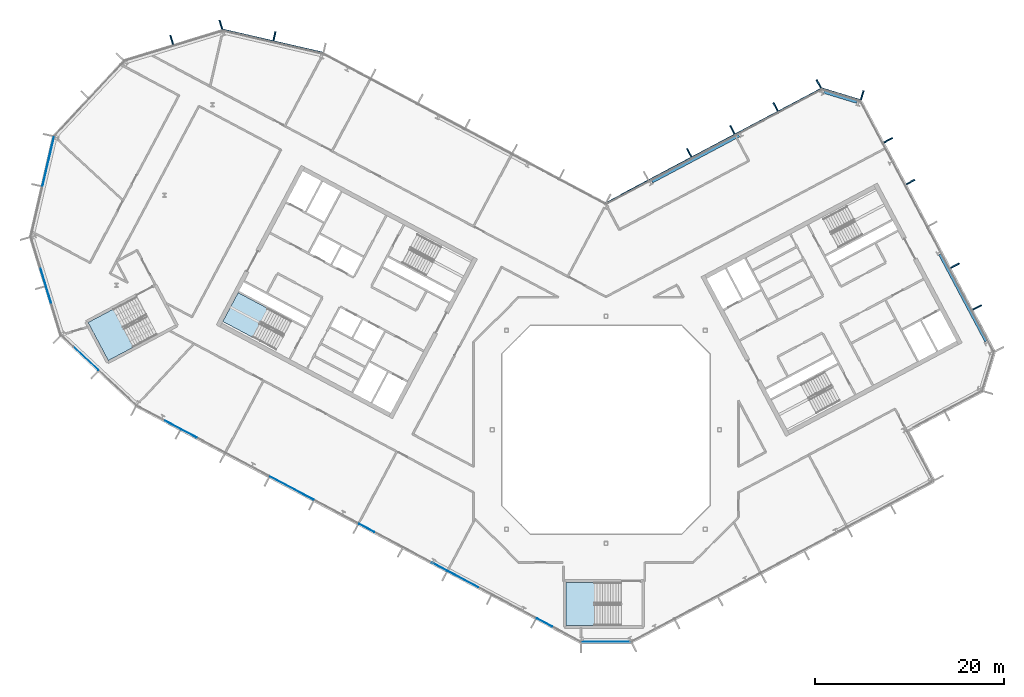
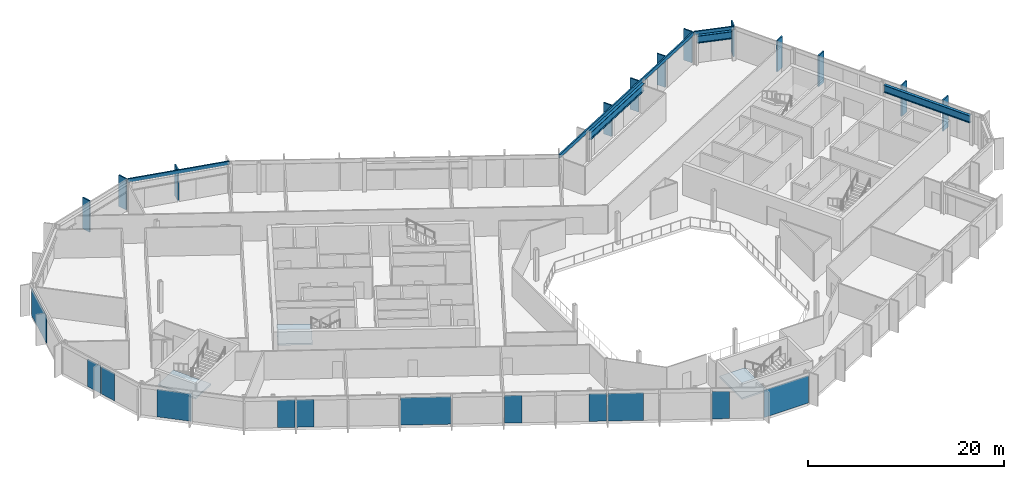
# One storey, part 10 of 26: 15 members, 12 plates, 3 beams, 3 slabs, 13 elements without a shape of their own.
"""IFC4 building model written with IfcOpenShell, lengths in metres."""

from ifc_helpers import new_model, si_unit, direction, frame, origin, origin_2d, place, context, subcontext, project, spatial, polyline, rectangle, i_section, outline, extrude, material, layer, layer_set, material_profile, profile_set, type_object, element, aggregate, save


model = new_model("IFC4")

# Units and contexts
model_context = context("Model", 3, precision=1e-05, world=origin(), true_north=direction((0.0, 1.0)))
body_context = subcontext(model_context, "Body", "Model", "MODEL_VIEW")
ifc_project = project(units=[si_unit("LENGTHUNIT", "METRE"), si_unit("AREAUNIT", "SQUARE_METRE"), si_unit("VOLUMEUNIT", "CUBIC_METRE"), si_unit("PLANEANGLEUNIT", "RADIAN"), si_unit("MASSUNIT", "GRAM", prefix="KILO")], contexts=[model_context])

# Site, building, storey
site_placement = place(None, origin())
site = spatial("IfcSite", under=ifc_project, at=site_placement, CompositionType="ELEMENT")
building_placement = place(site_placement, origin())
building = spatial("IfcBuilding", under=site, at=building_placement, Name="Cormorant Relay Tower", CompositionType="ELEMENT")
storey_placement = place(building_placement, frame((0.0, 0.0, 269.699951171875)))
storey = spatial("IfcBuildingStorey", under=building, at=storey_placement, Name="L60", CompositionType="ELEMENT", Elevation=269.699951171875)

# Curtain wall, members
ifc_material_1 = material(Name="Aluminium 6063-T6 anodised bronze", Category="aluminium")
ifc_layer_1 = layer(ifc_material_1, 0.199951171875)
ifc_layer_set_1 = layer_set([ifc_layer_1], Name="CW1 unitised bronze curtain wall with vertical fins")
curtain_wall_type = type_object("IfcCurtainWallType", Name="CW1 unitised bronze curtain wall with vertical fins", PredefinedType="NOTDEFINED", material=ifc_layer_set_1)
curtain_wall_1_placement = place(storey_placement, origin())
curtain_wall_1 = element("IfcCurtainWall", 1, at=curtain_wall_1_placement, inside=storey, type_object=curtain_wall_type, Name="CW1 curtain wall 6", PredefinedType="NOTDEFINED")
ifc_material_2 = material(Name="Aluminium 6063-T6 anodised bronze", Category="aluminium")
ifc_material_profile_1 = material_profile(ifc_material_2, rectangle(XDim=0.14990234375, YDim=1.0, at=origin_2d()), Name="AL 150x1000")
ifc_profile_set_1 = profile_set([ifc_material_profile_1], Name="Aluminium 6063-T6 anodised bronze")
member_type_1 = type_object("IfcMemberType", Name="CW1 bronze fin mullion 150 x 1000", PredefinedType="MULLION", material=ifc_profile_set_1)
member_1_placement = place(storey_placement, frame((39.222412109375, 12.927001953125, 0.0), z_axis=(0.0, 0.0, 1.0), x_axis=(-0.469471562786, 0.882947592859, 0.0)))
member_1 = element("IfcMember", 2, at=member_1_placement, type_object=member_type_1, Name="CW1 fin 6.2", PredefinedType="MULLION", context=body_context, shape_type="SweptSolid", body=[
    extrude(rectangle(XDim=0.14990234375, YDim=1.0, at=origin_2d()), origin(), (0.0, 0.0, 1.0), 3.900146484375),
])
member_2_placement = place(storey_placement, frame((36.875, 17.341552734375, 0.0), z_axis=(0.0, 0.0, 1.0), x_axis=(-0.469471562786, 0.882947592859, 0.0)))
member_2 = element("IfcMember", 3, at=member_2_placement, type_object=member_type_1, Name="CW1 fin 6.3", PredefinedType="MULLION", context=body_context, shape_type="SweptSolid", body=[
    extrude(rectangle(XDim=0.14990234375, YDim=1.0, at=origin_2d()), origin(), (0.0, 0.0, 1.0), 3.900146484375),
])
member_3_placement = place(storey_placement, frame((32.18017578125, 26.171142578125, 0.0), z_axis=(0.0, 0.0, 1.0), x_axis=(-0.469471562786, 0.882947592859, 0.0)))
member_3 = element("IfcMember", 4, at=member_3_placement, type_object=member_type_1, Name="CW1 fin 6.5", PredefinedType="MULLION", context=body_context, shape_type="SweptSolid", body=[
    extrude(rectangle(XDim=0.14990234375, YDim=1.0, at=origin_2d()), origin(), (0.0, 0.0, 1.0), 3.900146484375),
])
member_4_placement = place(storey_placement, frame((29.832763671875, 30.585693359375, 0.0), z_axis=(0.0, 0.0, 1.0), x_axis=(-0.469471562786, 0.882947592859, 0.0)))
member_4 = element("IfcMember", 5, at=member_4_placement, type_object=member_type_1, Name="CW1 fin 6.6", PredefinedType="MULLION", context=body_context, shape_type="SweptSolid", body=[
    extrude(rectangle(XDim=0.14990234375, YDim=1.0, at=origin_2d()), origin(), (0.0, 0.0, 1.0), 3.900146484375),
])
aggregate(curtain_wall_1, [member_1, member_2, member_3, member_4])

# Curtain wall, member
curtain_wall_2_placement = place(storey_placement, origin())
curtain_wall_2 = element("IfcCurtainWall", 6, at=curtain_wall_2_placement, inside=storey, type_object=curtain_wall_type, Name="CW1 curtain wall 7", PredefinedType="NOTDEFINED")
member_5_placement = place(storey_placement, frame((27.072021484375, 35.34130859375, 0.0), z_axis=(0.0, 0.0, 1.0), x_axis=(-0.956304755963, 0.292371704723, 0.0)))
member_5 = element("IfcMember", 7, at=member_5_placement, type_object=member_type_1, Name="CW1 fin 7.1", PredefinedType="MULLION", context=body_context, shape_type="SweptSolid", body=[
    extrude(rectangle(XDim=0.14990234375, YDim=1.0, at=origin_2d()), origin(), (0.0, 0.0, 1.0), 3.900146484375),
])

# Curtain wall, members
curtain_wall_3_placement = place(storey_placement, origin())
curtain_wall_3 = element("IfcCurtainWall", 8, at=curtain_wall_3_placement, inside=storey, type_object=curtain_wall_type, Name="CW1 curtain wall 8", PredefinedType="NOTDEFINED")
member_6_placement = place(storey_placement, frame((22.4814453125, 36.530517578125, 0.0), z_axis=(0.0, 0.0, 1.0), x_axis=(-0.882947592859, -0.469471562786, 0.0)))
member_6 = element("IfcMember", 9, at=member_6_placement, type_object=member_type_1, Name="CW1 fin 8.1", PredefinedType="MULLION", context=body_context, shape_type="SweptSolid", body=[
    extrude(rectangle(XDim=0.14990234375, YDim=1.0, at=origin_2d()), origin(), (0.0, 0.0, 1.0), 3.900146484375),
])
member_7_placement = place(storey_placement, frame((17.91943359375, 34.104736328125, 0.0), z_axis=(0.0, 0.0, 1.0), x_axis=(-0.882947592859, -0.469471562786, 0.0)))
member_7 = element("IfcMember", 10, at=member_7_placement, type_object=member_type_1, Name="CW1 fin 8.2", PredefinedType="MULLION", context=body_context, shape_type="SweptSolid", body=[
    extrude(rectangle(XDim=0.14990234375, YDim=1.0, at=origin_2d()), origin(), (0.0, 0.0, 1.0), 3.900146484375),
])
member_8_placement = place(storey_placement, frame((13.357421875, 31.67919921875, 0.0), z_axis=(0.0, 0.0, 1.0), x_axis=(-0.882947592859, -0.469471562786, 0.0)))
member_8 = element("IfcMember", 11, at=member_8_placement, type_object=member_type_1, Name="CW1 fin 8.3", PredefinedType="MULLION", context=body_context, shape_type="SweptSolid", body=[
    extrude(rectangle(XDim=0.14990234375, YDim=1.0, at=origin_2d()), origin(), (0.0, 0.0, 1.0), 3.900146484375),
])
member_9_placement = place(storey_placement, frame((8.79541015625, 29.25341796875, 0.0), z_axis=(0.0, 0.0, 1.0), x_axis=(-0.882947592859, -0.469471562786, 0.0)))
member_9 = element("IfcMember", 12, at=member_9_placement, type_object=member_type_1, Name="CW1 fin 8.4", PredefinedType="MULLION", context=body_context, shape_type="SweptSolid", body=[
    extrude(rectangle(XDim=0.14990234375, YDim=1.0, at=origin_2d()), origin(), (0.0, 0.0, 1.0), 3.900146484375),
])

# Curtain wall, member
curtain_wall_4_placement = place(storey_placement, origin())
curtain_wall_4 = element("IfcCurtainWall", 13, at=curtain_wall_4_placement, inside=storey, type_object=curtain_wall_type, Name="CW1 curtain wall 10", PredefinedType="NOTDEFINED")
member_10_placement = place(storey_placement, frame((-35.01220703125, 41.57275390625, 0.0), z_axis=(0.0, 0.0, 1.0), x_axis=(-0.974370064785, 0.224951054344, 0.0)))
member_10 = element("IfcMember", 14, at=member_10_placement, type_object=member_type_1, Name="CW1 fin 10.2", PredefinedType="MULLION", context=body_context, shape_type="SweptSolid", body=[
    extrude(rectangle(XDim=0.14990234375, YDim=1.0, at=origin_2d()), origin(), (0.0, 0.0, 1.0), 3.900146484375),
])

# Curtain wall, members
curtain_wall_5_placement = place(storey_placement, origin())
curtain_wall_5 = element("IfcCurtainWall", 15, at=curtain_wall_5_placement, inside=storey, type_object=curtain_wall_type, Name="CW1 curtain wall 11", PredefinedType="NOTDEFINED")
member_11_placement = place(storey_placement, frame((-40.670166015625, 42.78271484375, 0.0), z_axis=(0.0, 0.0, 1.0), x_axis=(-0.956304755963, -0.292371704723, 0.0)))
member_11 = element("IfcMember", 16, at=member_11_placement, type_object=member_type_1, Name="CW1 fin 11.1", PredefinedType="MULLION", context=body_context, shape_type="SweptSolid", body=[
    extrude(rectangle(XDim=0.14990234375, YDim=1.0, at=origin_2d()), origin(), (0.0, 0.0, 1.0), 3.900146484375),
])
member_12_placement = place(storey_placement, frame((-45.867919921875, 41.193603515625, 0.0), z_axis=(0.0, 0.0, 1.0), x_axis=(-0.956304755963, -0.292371704723, 0.0)))
member_12 = element("IfcMember", 17, at=member_12_placement, type_object=member_type_1, Name="CW1 fin 11.2", PredefinedType="MULLION", context=body_context, shape_type="SweptSolid", body=[
    extrude(rectangle(XDim=0.14990234375, YDim=1.0, at=origin_2d()), origin(), (0.0, 0.0, 1.0), 3.900146484375),
])
aggregate(curtain_wall_5, [member_11, member_12])

# Member
ifc_material_3 = material(Name="Aluminium 6063-T6 anodised bronze", Category="aluminium")
ifc_material_profile_2 = material_profile(ifc_material_3, rectangle(XDim=0.159912109375, YDim=0.449951171875, at=origin_2d()), Name="AL 160x450")
ifc_profile_set_2 = profile_set([ifc_material_profile_2], Name="Aluminium 6063-T6 anodised bronze")
member_type_2 = type_object("IfcMemberType", Name="CW1 bronze transom 160 x 450", PredefinedType="USERDEFINED", material=ifc_profile_set_2)
member_13_placement = place(storey_placement, frame((26.902587890625, 34.78662109375, 3.675048828125), z_axis=(-0.956303761594, 0.292374957137, 0.0), x_axis=(-0.292374957137, -0.956303761594, 0.0)))
member_13 = element("IfcMember", 18, at=member_13_placement, type_object=member_type_2, Name="CW1 transom 7", ObjectType="TRANSOM", PredefinedType="USERDEFINED", context=body_context, shape_type="SweptSolid", body=[
    extrude(rectangle(XDim=0.159912109375, YDim=0.449951171875, at=origin_2d()), origin(), (0.0, 0.0, 1.0), 4.24267578125),
])

aggregate(curtain_wall_2, [member_5, member_13])

member_14_placement = place(storey_placement, frame((22.75390625, 36.018310546875, 3.675048828125), z_axis=(-0.882948156597, -0.469470502547, 0.0), x_axis=(0.469470502547, -0.882948156597, 0.0)))
member_14 = element("IfcMember", 19, at=member_14_placement, type_object=member_type_2, Name="CW1 transom 8", ObjectType="TRANSOM", PredefinedType="USERDEFINED", context=body_context, shape_type="SweptSolid", body=[
    extrude(rectangle(XDim=0.159912109375, YDim=0.449951171875, at=origin_2d()), origin(), (0.0, 0.0, 1.0), 25.834228515625),
])

aggregate(curtain_wall_3, [member_6, member_7, member_8, member_9, member_14])

member_15_placement = place(storey_placement, frame((-29.8466796875, 39.784912109375, 3.675048828125), z_axis=(-0.974365070969, 0.224972683844, 0.0), x_axis=(-0.224972683844, -0.974365070969, 0.0)))
member_15 = element("IfcMember", 20, at=member_15_placement, type_object=member_type_2, Name="CW1 transom 10", ObjectType="TRANSOM", PredefinedType="USERDEFINED", context=body_context, shape_type="SweptSolid", body=[
    extrude(rectangle(XDim=0.159912109375, YDim=0.449951171875, at=origin_2d()), origin(), (0.0, 0.0, 1.0), 10.870361328125),
])

aggregate(curtain_wall_4, [member_10, member_15])

# Beams
ifc_material_4 = material(Name="Steel ASTM A992 (Fy 345 MPa)", Category="steel")
ifc_material_profile_3 = material_profile(ifc_material_4, i_section(OverallWidth=0.307373046875, OverallDepth=0.927001953125, WebThickness=0.019287109375, FlangeThickness=0.031982421875, FilletRadius=0.01904296875, at=origin_2d()), Name="W920x289")
ifc_profile_set_3 = profile_set([ifc_material_profile_3], Name="Steel ASTM A992 (Fy 345 MPa)")
beam_type = type_object("IfcBeamType", Name="Spandrel W920x289", PredefinedType="SPANDREL", material=ifc_profile_set_3)
beam_1_placement = place(storey_placement, frame((40.1591796875, 9.3466796875, 3.07666015625), z_axis=(-0.469474391681, 0.882946088703, 0.0), x_axis=(-0.882946088703, -0.469474391681, 0.0)))
element("IfcBeam", 21, at=beam_1_placement, inside=storey, type_object=beam_type, Name="Spandrel beam L60-006", PredefinedType="SPANDREL", context=body_context, shape_type="SweptSolid", body=[
    extrude(i_section(OverallWidth=0.307373046875, OverallDepth=0.927001953125, WebThickness=0.019287109375, FlangeThickness=0.031982421875, FilletRadius=0.01904296875, at=origin_2d()), origin(), (0.0, 0.0, 1.0), 10.401611328125),
])
beam_2_placement = place(storey_placement, frame((26.512451171875, 34.619873046875, 3.07666015625), z_axis=(-0.956313678807, 0.292342517821, 0.0), x_axis=(-0.292342517821, -0.956313678807, 0.0)))
element("IfcBeam", 22, at=beam_2_placement, inside=storey, type_object=beam_type, Name="Spandrel beam L60-007", PredefinedType="SPANDREL", context=body_context, shape_type="SweptSolid", body=[
    extrude(i_section(OverallWidth=0.307373046875, OverallDepth=0.927001953125, WebThickness=0.019287109375, FlangeThickness=0.031982421875, FilletRadius=0.01904296875, at=origin_2d()), origin(), (0.0, 0.0, 1.0), 3.65185546875),
])
beam_3_placement = place(storey_placement, frame((14.05322265625, 31.082275390625, 3.07666015625), z_axis=(-0.882950644937, -0.469465822617, 0.0), x_axis=(0.469465822617, -0.882950644937, 0.0)))
element("IfcBeam", 23, at=beam_3_placement, inside=storey, type_object=beam_type, Name="Spandrel beam L60-008", PredefinedType="SPANDREL", context=body_context, shape_type="SweptSolid", body=[
    extrude(i_section(OverallWidth=0.307373046875, OverallDepth=0.927001953125, WebThickness=0.019287109375, FlangeThickness=0.031982421875, FilletRadius=0.01904296875, at=origin_2d()), origin(), (0.0, 0.0, 1.0), 10.4013671875),
])

# Curtain wall, plates
curtain_wall_6_placement = place(storey_placement, origin())
curtain_wall_6 = element("IfcCurtainWall", 24, at=curtain_wall_6_placement, inside=storey, type_object=curtain_wall_type, Name="CW1 curtain wall 14", PredefinedType="NOTDEFINED")
ifc_material_5 = material(Name="Tinted laminated glass", Category="glass")
ifc_layer_2 = layer(ifc_material_5, 0.0400390625)
ifc_layer_set_2 = layer_set([ifc_layer_2], Name="CW1 tinted vision panel 1800 module")
plate_type_1 = type_object("IfcPlateType", Name="CW1 tinted vision panel 1800 module", PredefinedType="CURTAIN_PANEL", material=ifc_layer_set_2)
plate_1_placement = place(storey_placement, frame((-59.434814453125, 16.122314453125, 0.0), z_axis=(0.0, 0.0, 1.0), x_axis=(0.292371704723, -0.956304755963, 0.0)))
plate_1 = element("IfcPlate", 25, at=plate_1_placement, type_object=plate_type_1, Name="CW1 panel V01", PredefinedType="CURTAIN_PANEL", context=body_context, shape_type="SweptSolid", body=[
    extrude(rectangle(XDim=1.800048828125, YDim=0.0400390625, at=origin_2d()), origin(), (0.0, 0.0, 1.0), 3.449951171875),
])
plate_2_placement = place(storey_placement, frame((-58.86474609375, 14.25732421875, 0.0), z_axis=(0.0, 0.0, 1.0), x_axis=(0.292371704723, -0.956304755963, 0.0)))
plate_2 = element("IfcPlate", 26, at=plate_2_placement, type_object=plate_type_1, Name="CW1 panel V02", PredefinedType="CURTAIN_PANEL", context=body_context, shape_type="SweptSolid", body=[
    extrude(rectangle(XDim=1.800048828125, YDim=0.0400390625, at=origin_2d()), origin(), (0.0, 0.0, 1.0), 3.449951171875),
])
aggregate(curtain_wall_6, [plate_1, plate_2])

curtain_wall_7_placement = place(storey_placement, origin())
curtain_wall_7 = element("IfcCurtainWall", 27, at=curtain_wall_7_placement, inside=storey, type_object=curtain_wall_type, Name="CW1 curtain wall 16", PredefinedType="NOTDEFINED")
plate_3_placement = place(storey_placement, frame((-45.767578125, 0.5283203125, 0.0), z_axis=(0.0, 0.0, 1.0), x_axis=(0.882947592859, -0.469471562786, 0.0)))
plate_3 = element("IfcPlate", 28, at=plate_3_placement, type_object=plate_type_1, Name="CW1 panel V01", PredefinedType="CURTAIN_PANEL", context=body_context, shape_type="SweptSolid", body=[
    extrude(rectangle(XDim=1.800048828125, YDim=0.0400390625, at=origin_2d()), origin(), (0.0, 0.0, 1.0), 3.449951171875),
])
plate_4_placement = place(storey_placement, frame((-44.0458984375, -0.38720703125, 0.0), z_axis=(0.0, 0.0, 1.0), x_axis=(0.882947592859, -0.469471562786, 0.0)))
plate_4 = element("IfcPlate", 29, at=plate_4_placement, type_object=plate_type_1, Name="CW1 panel V02", PredefinedType="CURTAIN_PANEL", context=body_context, shape_type="SweptSolid", body=[
    extrude(rectangle(XDim=1.800048828125, YDim=0.0400390625, at=origin_2d()), origin(), (0.0, 0.0, 1.0), 3.449951171875),
])
plate_5_placement = place(storey_placement, frame((-25.268798828125, -10.37109375, 0.0), z_axis=(0.0, 0.0, 1.0), x_axis=(0.882947592859, -0.469471562786, 0.0)))
plate_5 = element("IfcPlate", 30, at=plate_5_placement, type_object=plate_type_1, Name="CW1 panel V06", PredefinedType="CURTAIN_PANEL", context=body_context, shape_type="SweptSolid", body=[
    extrude(rectangle(XDim=1.800048828125, YDim=0.0400390625, at=origin_2d()), origin(), (0.0, 0.0, 1.0), 3.449951171875),
])
plate_6_placement = place(storey_placement, frame((-17.601806640625, -14.447509765625, 0.0), z_axis=(0.0, 0.0, 1.0), x_axis=(0.882947592859, -0.469471562786, 0.0)))
plate_6 = element("IfcPlate", 31, at=plate_6_placement, type_object=plate_type_1, Name="CW1 panel V08", PredefinedType="CURTAIN_PANEL", context=body_context, shape_type="SweptSolid", body=[
    extrude(rectangle(XDim=1.800048828125, YDim=0.0400390625, at=origin_2d()), origin(), (0.0, 0.0, 1.0), 3.449951171875),
])
plate_7_placement = place(storey_placement, frame((-6.49169921875, -20.35498046875, 0.0), z_axis=(0.0, 0.0, 1.0), x_axis=(0.882947592859, -0.469471562786, 0.0)))
plate_7 = element("IfcPlate", 32, at=plate_7_placement, type_object=plate_type_1, Name="CW1 panel V11", PredefinedType="CURTAIN_PANEL", context=body_context, shape_type="SweptSolid", body=[
    extrude(rectangle(XDim=1.800048828125, YDim=0.0400390625, at=origin_2d()), origin(), (0.0, 0.0, 1.0), 3.449951171875),
])

# Curtain wall, plate
curtain_wall_8_placement = place(storey_placement, origin())
curtain_wall_8 = element("IfcCurtainWall", 33, at=curtain_wall_8_placement, inside=storey, type_object=curtain_wall_type, Name="CW1 curtain wall 15", PredefinedType="NOTDEFINED")
ifc_material_6 = material(Name="Tinted laminated glass", Category="glass")
ifc_layer_3 = layer(ifc_material_6, 0.0400390625)
ifc_layer_set_3 = layer_set([ifc_layer_3], Name="CW1 tinted vision panel 3600 module")
plate_type_2 = type_object("IfcPlateType", Name="CW1 tinted vision panel 3600 module", PredefinedType="CURTAIN_PANEL", material=ifc_layer_set_3)
plate_8_placement = place(storey_placement, frame((-54.951416015625, 7.55517578125, 0.0), z_axis=(0.0, 0.0, 1.0), x_axis=(0.731353701619, -0.681998360062, 0.0)))
plate_8 = element("IfcPlate", 34, at=plate_8_placement, type_object=plate_type_2, Name="CW1 panel V01", PredefinedType="CURTAIN_PANEL", context=body_context, shape_type="SweptSolid", body=[
    extrude(rectangle(XDim=3.60009765625, YDim=0.0400390625, at=origin_2d()), origin(), (0.0, 0.0, 1.0), 3.449951171875),
])
aggregate(curtain_wall_8, [plate_8])

# Plate
plate_9_placement = place(storey_placement, frame((-15.08544921875, -15.785400390625, 0.0), z_axis=(0.0, 0.0, 1.0), x_axis=(0.882947592859, -0.469471562786, 0.0)))
plate_9 = element("IfcPlate", 35, at=plate_9_placement, type_object=plate_type_2, Name="CW1 panel V09", PredefinedType="CURTAIN_PANEL", context=body_context, shape_type="SweptSolid", body=[
    extrude(rectangle(XDim=3.60009765625, YDim=0.0400390625, at=origin_2d()), origin(), (0.0, 0.0, 1.0), 3.449951171875),
])

# Curtain wall, plate
curtain_wall_9_placement = place(storey_placement, origin())
curtain_wall_9 = element("IfcCurtainWall", 36, at=curtain_wall_9_placement, inside=storey, type_object=curtain_wall_type, Name="CW1 curtain wall 1", PredefinedType="NOTDEFINED")
ifc_material_7 = material(Name="Tinted laminated glass", Category="glass")
ifc_layer_4 = layer(ifc_material_7, 0.0400390625)
ifc_layer_set_4 = layer_set([ifc_layer_4], Name="CW1 tinted vision panel 5400 module")
plate_type_3 = type_object("IfcPlateType", Name="CW1 tinted vision panel 5400 module", PredefinedType="CURTAIN_PANEL", material=ifc_layer_set_4)
plate_10_placement = place(storey_placement, frame((0.03759765625, -22.3955078125, 0.0), z_axis=(0.0, 0.0, 1.0), x_axis=(1.0, 0.0, 0.0)))
plate_10 = element("IfcPlate", 37, at=plate_10_placement, type_object=plate_type_3, Name="CW1 panel V00", PredefinedType="CURTAIN_PANEL", context=body_context, shape_type="SweptSolid", body=[
    extrude(rectangle(XDim=5.22265625, YDim=0.0400390625, at=origin_2d()), origin(), (0.0, 0.0, 1.0), 3.449951171875),
])
aggregate(curtain_wall_9, [plate_10])

curtain_wall_10_placement = place(storey_placement, origin())
curtain_wall_10 = element("IfcCurtainWall", 38, at=curtain_wall_10_placement, inside=storey, type_object=curtain_wall_type, Name="CW1 curtain wall 13", PredefinedType="NOTDEFINED")
plate_11_placement = place(storey_placement, frame((-58.905517578125, 28.341796875, 0.0), z_axis=(0.0, 0.0, 1.0), x_axis=(-0.224951054344, -0.974370064785, 0.0)))
plate_11 = element("IfcPlate", 39, at=plate_11_placement, type_object=plate_type_3, Name="CW1 panel V00", PredefinedType="CURTAIN_PANEL", context=body_context, shape_type="SweptSolid", body=[
    extrude(rectangle(XDim=5.28515625, YDim=0.0400390625, at=origin_2d()), origin(), (0.0, 0.0, 1.0), 3.449951171875),
])
aggregate(curtain_wall_10, [plate_11])

# Plate
plate_12_placement = place(storey_placement, frame((-33.1708984375, -6.169189453125, 0.0), z_axis=(0.0, 0.0, 1.0), x_axis=(0.882947592859, -0.469471562786, 0.0)))
plate_12 = element("IfcPlate", 40, at=plate_12_placement, type_object=plate_type_3, Name="CW1 panel V04", PredefinedType="CURTAIN_PANEL", context=body_context, shape_type="SweptSolid", body=[
    extrude(rectangle(XDim=5.16650390625, YDim=0.0400390625, at=origin_2d()), origin(), (0.0, 0.0, 1.0), 3.449951171875),
])

aggregate(curtain_wall_7, [plate_3, plate_4, plate_12, plate_5, plate_6, plate_9, plate_7])

# Stair, slab
ifc_material_8 = material(Name="Concrete 40 MPa", Category="concrete")
stair_type_1 = type_object("IfcStairType", Name="Exit stair 1500", PredefinedType="HALF_TURN_STAIR", material=ifc_material_8)
stair_1_placement = place(storey_placement, origin())
stair_1 = element("IfcStair", 41, at=stair_1_placement, inside=storey, type_object=stair_type_1, Name="L60 Stair", PredefinedType="HALF_TURN_STAIR")
ifc_material_9 = material(Name="Concrete 40 MPa", Category="concrete")
ifc_layer_5 = layer(ifc_material_9, 0.199951171875)
ifc_layer_set_5 = layer_set([ifc_layer_5], Name="Exit stair landing 200")
slab_type = type_object("IfcSlabType", Name="Exit stair landing 200", PredefinedType="LANDING", material=ifc_layer_set_5)
slab_1_placement = place(storey_placement, frame((0.0, 0.0, 1.75)))
slab_1 = element("IfcSlab", 42, at=slab_1_placement, type_object=slab_type, Name="A2 landing 1", PredefinedType="LANDING", context=body_context, shape_type="SweptSolid", body=[
    extrude(outline(polyline([(-35.71337890625, 12.816650390625), (-38.84765625, 14.483154296875), (-40.467529296875, 11.43701171875), (-37.3330078125, 9.7705078125), (-35.71337890625, 12.816650390625)])), origin(), (0.0, 0.0, 1.0), 0.199951171875),
])
aggregate(stair_1, [slab_1])

ifc_material_10 = material(Name="Concrete 40 MPa", Category="concrete")
stair_type_2 = type_object("IfcStairType", Name="Remote exit stair 2200", PredefinedType="HALF_TURN_STAIR", material=ifc_material_10)
stair_2_placement = place(storey_placement, origin())
stair_2 = element("IfcStair", 43, at=stair_2_placement, inside=storey, type_object=stair_type_2, Name="L60 Stair", PredefinedType="HALF_TURN_STAIR")
slab_2_placement = place(storey_placement, frame((0.0, 0.0, 1.75)))
slab_2 = element("IfcSlab", 44, at=slab_2_placement, type_object=slab_type, Name="RK1 landing 1", PredefinedType="LANDING", context=body_context, shape_type="SweptSolid", body=[
    extrude(outline(polyline([(-1.199951171875, -16.125), (-4.199951171875, -16.125), (-4.199951171875, -20.675048828125), (-1.199951171875, -20.675048828125), (-1.199951171875, -16.125)])), origin(), (0.0, 0.0, 1.0), 0.199951171875),
])
aggregate(stair_2, [slab_2])

stair_3_placement = place(storey_placement, origin())
stair_3 = element("IfcStair", 45, at=stair_3_placement, inside=storey, type_object=stair_type_2, Name="L60 Stair", PredefinedType="HALF_TURN_STAIR")
slab_3_placement = place(storey_placement, frame((0.0, 0.0, 1.75)))
slab_3 = element("IfcSlab", 46, at=slab_3_placement, type_object=slab_type, Name="RP1 landing 1", PredefinedType="LANDING", context=body_context, shape_type="SweptSolid", body=[
    extrude(outline(polyline([(-52.051025390625, 12.7392578125), (-54.699951171875, 11.330810546875), (-52.563720703125, 7.3134765625), (-49.914794921875, 8.721923828125), (-52.051025390625, 12.7392578125)])), origin(), (0.0, 0.0, 1.0), 0.199951171875),
])
aggregate(stair_3, [slab_3])

save(model, "model.ifc")
